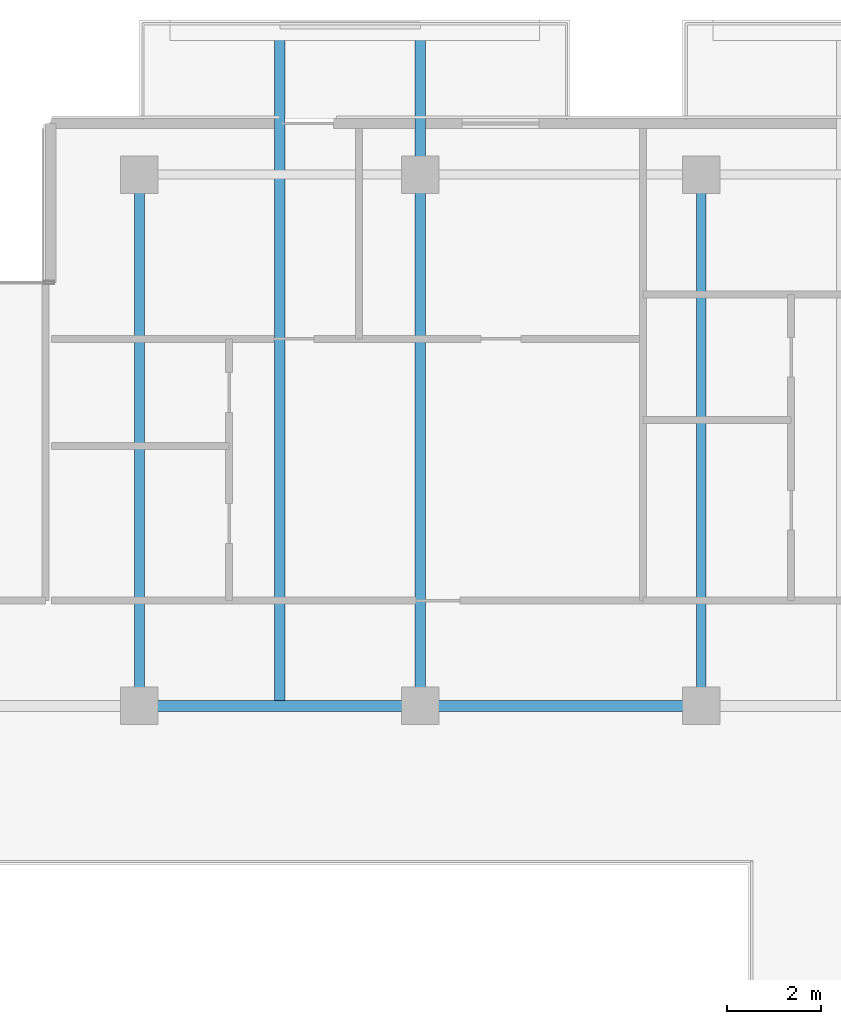
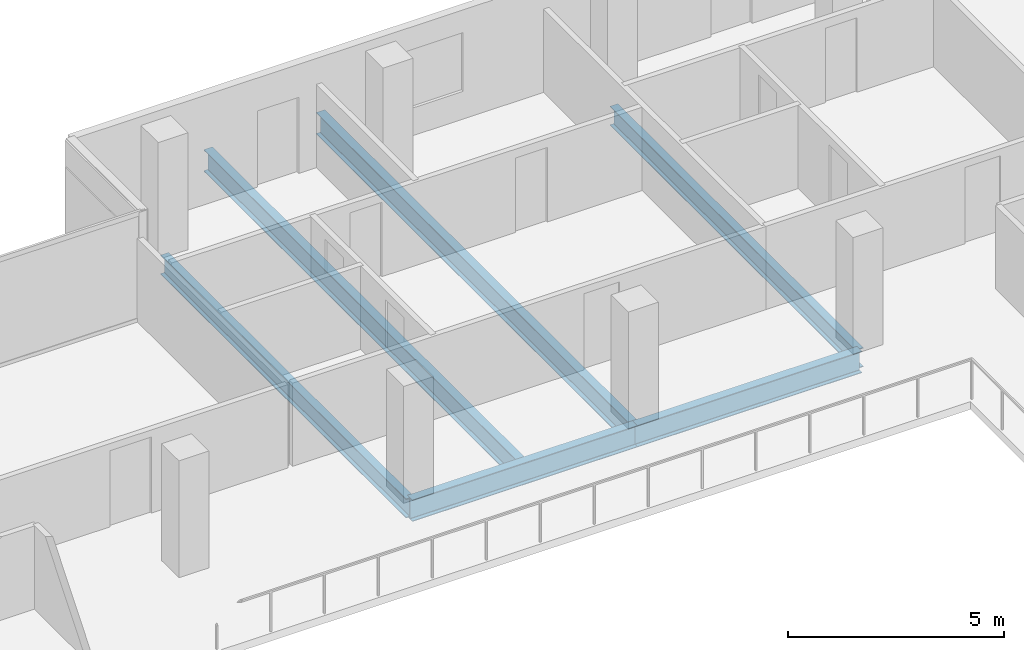
# One storey, part 11 of 29: 6 beams.
"""IFC4 building model written with IfcOpenShell, lengths in metres."""

import ifcopenshell
import ifcopenshell.guid

model = None  # the IFC model being written
_history = None  # IfcOwnerHistory: only IFC2X3 demands one
_inside = {}  # id of a spatial element -> (the spatial element, [elements in it])
_under = {}  # id of a project, library or spatial element -> (it, [spatial elements below it])
_declared = {}  # id of a project -> (the project, [libraries it declares])
_typed = {}  # id of a type object -> (the type object, [elements of that type])
_made_of = {}  # id of a material, layer set ... -> (it, [elements and type objects made of it])


def new_model(schema):
    """Start an empty IFC model of exactly this schema.

    Asked for "IFC4X3", IfcOpenShell would pick the latest addendum, in which some entities
    have other attributes; the version numbers below select the first issue.
    IFC2X3 requires an IfcOwnerHistory on every rooted entity: one is made here for all.
    """
    global model, _history
    if schema == "IFC4X3":
        model = ifcopenshell.file(schema_version=(4, 3, 0, 0))
    else:
        model = ifcopenshell.file(schema=schema)
    _inside.clear()
    _under.clear()
    _declared.clear()
    _typed.clear()
    _made_of.clear()
    _history = None
    if model.schema == "IFC2X3":
        org = make("IfcOrganization", Name="unknown")
        user = make(
            "IfcPersonAndOrganization",
            ThePerson=make("IfcPerson", FamilyName="unknown"),
            TheOrganization=org,
        )
        app = make(
            "IfcApplication",
            ApplicationDeveloper=org,
            Version="unknown",
            ApplicationFullName="unknown",
            ApplicationIdentifier="unknown",
        )
        _history = make(
            "IfcOwnerHistory",
            OwningUser=user,
            OwningApplication=app,
            ChangeAction="ADDED",
            CreationDate=0,
        )
    return model


def make(cls, **values):
    """One entity of the class cls with the attributes given. An attribute that is None is left unset."""
    return model.create_entity(
        cls, **{name: value for name, value in values.items() if value is not None}
    )


def rooted(cls, **values):
    """An entity with a GlobalId (a new one), such as an element, a storey or a relation."""
    return make(cls, GlobalId=ifcopenshell.guid.new(), OwnerHistory=_history, **values)


def si_unit(unit_type, name, prefix=None):
    """IfcSIUnit, for example si_unit("LENGTHUNIT", "METRE", prefix="MILLI")."""
    return make("IfcSIUnit", UnitType=unit_type, Prefix=prefix, Name=name)


def assignment(units):
    """IfcUnitAssignment: the units of a project."""
    return None if units is None else make("IfcUnitAssignment", Units=units)


def point(xyz):
    """IfcCartesianPoint."""
    return None if xyz is None else make("IfcCartesianPoint", Coordinates=xyz)


def direction(xyz):
    """IfcDirection."""
    return None if xyz is None else make("IfcDirection", DirectionRatios=xyz)


def frame(location, z_axis=None, x_axis=None):
    """IfcAxis2Placement3D, a coordinate frame: its origin and axes. An axis left out is left unset."""
    return make(
        "IfcAxis2Placement3D",
        Location=point(location),
        Axis=direction(z_axis),
        RefDirection=direction(x_axis),
    )


def frame_2d(location, x_axis=None):
    """IfcAxis2Placement2D, a coordinate frame in the plane: its origin and x axis."""
    return make(
        "IfcAxis2Placement2D", Location=point(location), RefDirection=direction(x_axis)
    )


def origin():
    """The frame at (0, 0, 0) with its axes left unset."""
    return frame((0.0, 0.0, 0.0))


def origin_2d():
    """The frame at (0, 0) in the plane with its x axis left unset."""
    return frame_2d((0.0, 0.0))


def place(relative_to, where):
    """IfcLocalPlacement: puts the frame where relative to a parent placement (None: the world)."""
    return make(
        "IfcLocalPlacement", PlacementRelTo=relative_to, RelativePlacement=where
    )


def context(
    kind, dimensions, precision=None, world=None, true_north=None, identifier=None
):
    """IfcGeometricRepresentationContext, for example the 3D "Model" context."""
    return make(
        "IfcGeometricRepresentationContext",
        ContextIdentifier=identifier,
        ContextType=kind,
        CoordinateSpaceDimension=dimensions,
        Precision=precision,
        WorldCoordinateSystem=world,
        TrueNorth=true_north,
    )


def subcontext(parent, identifier, kind, view, scale=None):
    """IfcGeometricRepresentationSubContext, for example "Body" below "Model"."""
    return make(
        "IfcGeometricRepresentationSubContext",
        ContextIdentifier=identifier,
        ContextType=kind,
        ParentContext=parent,
        TargetScale=scale,
        TargetView=view,
    )


def project(units=None, contexts=None):
    """IfcProject with its units and contexts."""
    return rooted(
        "IfcProject",
        Name="project",
        RepresentationContexts=contexts,
        UnitsInContext=assignment(units),
    )


def spatial(cls, under=None, at=None, **own):
    """A site, building, storey or space (cls), placed at a placement, below another one or the project."""
    s = rooted(cls, ObjectPlacement=at, **own)
    if under is not None:
        _under.setdefault(under.id(), (under, []))[1].append(s)
    return s


def profile(cls, at=None, kind="AREA", **sizes):
    """A parametric profile (cls). Its sizes go by their IFC names, for example OverallWidth=200.0."""
    return make(cls, ProfileType=kind, Position=at, **sizes)


def i_section(**sizes):
    """IfcIShapeProfileDef."""
    return profile("IfcIShapeProfileDef", **sizes)


def extrude(swept, where, along, depth):
    """IfcExtrudedAreaSolid: the profile swept, set in the frame where, extruded along a direction by depth."""
    return make(
        "IfcExtrudedAreaSolid",
        SweptArea=swept,
        Position=where,
        ExtrudedDirection=direction(along),
        Depth=depth,
    )


def shape(context_of_items, identifier, shape_type, items):
    """IfcShapeRepresentation: the items that make up one representation, for example the "Body"."""
    return make(
        "IfcShapeRepresentation",
        ContextOfItems=context_of_items,
        RepresentationIdentifier=identifier,
        RepresentationType=shape_type,
        Items=items,
    )


def material(Name=None, Category=None):
    """IfcMaterial."""
    return make("IfcMaterial", Name=Name, Category=Category)


def material_profile(
    of_material, cross_section, Name=None, Category=None, Priority=None
):
    """IfcMaterialProfile: a cross section and its material."""
    return make(
        "IfcMaterialProfile",
        Name=Name,
        Material=of_material,
        Profile=cross_section,
        Priority=Priority,
        Category=Category,
    )


def profile_set(profiles, Name=None, composite=None):
    """IfcMaterialProfileSet."""
    return make(
        "IfcMaterialProfileSet",
        Name=Name,
        MaterialProfiles=profiles,
        CompositeProfile=composite,
    )


def made_of(thing, what):
    """Note that an element or type object is made of a material, layer set ...; save() writes the relation."""
    if what is not None:
        _made_of.setdefault(what.id(), (what, []))[1].append(thing)
    return thing


def type_object(cls, material=None, **own):
    """A type object (cls), such as IfcWallType, which elements share."""
    return made_of(rooted(cls, **own), material)


def element(
    cls,
    number,
    at=None,
    inside=None,
    cuts=None,
    type_object=None,
    material=None,
    context=None,
    identifier="Body",
    shape_type=None,
    held_by="IfcProductDefinitionShape",
    body=None,
    shapes=None,
    **own,
):
    """One element of the class cls, such as IfcWall. Its Tag is "e" and its number.

    at: its placement. inside: the storey or other place that contains it. cuts: it is an
    opening in that element (IfcRelVoidsElement). A single representation is given by context,
    identifier, shape_type and body (its items); several are given by shapes. held_by: the class
    of the entity that holds the representations. save() writes the other relations.
    """
    e = rooted(cls, Tag="e%d" % number, ObjectPlacement=at, **own)
    if body is not None:
        shapes = [shape(context, identifier, shape_type, body)]
    if shapes is not None:
        e.Representation = make(held_by, Representations=shapes)
    if inside is not None:
        _inside.setdefault(inside.id(), (inside, []))[1].append(e)
    if cuts is not None:
        rooted(
            "IfcRelVoidsElement", RelatingBuildingElement=cuts, RelatedOpeningElement=e
        )
    if type_object is not None:
        _typed.setdefault(type_object.id(), (type_object, []))[1].append(e)
    return made_of(e, material)


def aggregate(whole, parts):
    """IfcRelAggregates: a whole, such as a stair, and the parts it consists of."""
    return rooted("IfcRelAggregates", RelatingObject=whole, RelatedObjects=parts)


def save(model, path):
    """Write the relations noted so far, then the file.

    IfcRelAggregates (storeys below a building ...), IfcRelContainedInSpatialStructure (elements
    in a storey), IfcRelDefinesByType, IfcRelAssociatesMaterial and IfcRelDeclares: one each for
    every whole, place, type object, material and project.
    """
    for whole, parts in _under.values():
        aggregate(whole, parts)
    for where, things in _inside.values():
        rooted(
            "IfcRelContainedInSpatialStructure",
            RelatedElements=things,
            RelatingStructure=where,
        )
    for kind, things in _typed.values():
        rooted("IfcRelDefinesByType", RelatedObjects=things, RelatingType=kind)
    for what, things in _made_of.values():
        rooted("IfcRelAssociatesMaterial", RelatedObjects=things, RelatingMaterial=what)
    for by, libraries in _declared.values():
        rooted("IfcRelDeclares", RelatingContext=by, RelatedDefinitions=libraries)
    model.write(path)


model = new_model("IFC4")

# Units and contexts
model_context = context("Model", 3, precision=1e-05, world=origin(), true_north=direction((0.0, 1.0)))
body_context = subcontext(model_context, "Body", "Model", "MODEL_VIEW")
ifc_project = project(units=[si_unit("LENGTHUNIT", "METRE"), si_unit("AREAUNIT", "SQUARE_METRE"), si_unit("VOLUMEUNIT", "CUBIC_METRE"), si_unit("PLANEANGLEUNIT", "RADIAN"), si_unit("MASSUNIT", "GRAM", prefix="KILO")], contexts=[model_context])

# Site, building, storey
site_placement = place(None, origin())
site = spatial("IfcSite", under=ifc_project, at=site_placement, CompositionType="ELEMENT")
building_placement = place(site_placement, origin())
building = spatial("IfcBuilding", under=site, at=building_placement, Name="Tanjung Sevakor Pilgrim Tower", CompositionType="ELEMENT")
storey_placement = place(building_placement, frame((0.0, 0.0, 181.830078125)))
storey = spatial("IfcBuildingStorey", under=building, at=storey_placement, Name="L50", CompositionType="ELEMENT", Elevation=181.830078125)

# Beams
ifc_material_1 = material(Name="Steel S355J2", Category="steel")
ifc_material_profile_1 = material_profile(ifc_material_1, i_section(OverallWidth=0.22900390625, OverallDepth=0.6123046875, WebThickness=0.011962890625, FlangeThickness=0.01953125, FilletRadius=0.0126953125, at=origin_2d()))
ifc_profile_set_1 = profile_set([ifc_material_profile_1], Name="Steel S355J2")
beam_type_1 = type_object("IfcBeamType", Name="BM-B-G4-UB_610x229x125", PredefinedType="BEAM", material=ifc_profile_set_1)
for number, where, z_axis, x_axis, name in (
    (1, (54.0, 42.60009765625, -0.526123046875), (1.0, 0.0, 0.0), (0.0, 1.0, 0.0), "L50 Primary Floor Girder MAIN Y426-05"),
    (2, (60.0, 42.60009765625, -0.526123046875), (1.0, 0.0, 0.0), (0.0, 1.0, 0.0), "L50 Primary Floor Girder MAIN Y426-06"),
):
    element("IfcBeam", number, at=place(storey_placement, frame(where, z_axis=z_axis, x_axis=x_axis)), inside=storey, type_object=beam_type_1, Name=name, PredefinedType="BEAM", context=body_context, shape_type="SweptSolid", body=[
        extrude(i_section(OverallWidth=0.22900390625, OverallDepth=0.6123046875, WebThickness=0.011962890625, FlangeThickness=0.01953125, FilletRadius=0.0126953125, at=origin_2d()), origin(), (0.0, 0.0, 1.0), 6.0),
    ])
beam_1_placement = place(storey_placement, frame((57.0, 42.714599609375, -0.526123046875), z_axis=(0.0, 1.0, 0.0), x_axis=(-1.0, 0.0, 0.0)))
element("IfcBeam", 3, at=beam_1_placement, inside=storey, type_object=beam_type_1, Name="L50 Balcony Cantilever Beam MAIN-N2-1", PredefinedType="BEAM", context=body_context, shape_type="SweptSolid", body=[
    extrude(i_section(OverallWidth=0.22900390625, OverallDepth=0.6123046875, WebThickness=0.011962890625, FlangeThickness=0.01953125, FilletRadius=0.0126953125, at=origin_2d()), origin(), (0.0, 0.0, 1.0), 14.415283203125),
])
beam_2_placement = place(storey_placement, frame((60.0, 42.60009765625, -0.526123046875), z_axis=(0.0, 1.0, 0.0), x_axis=(-1.0, 0.0, 0.0)))
element("IfcBeam", 4, at=beam_2_placement, inside=storey, type_object=beam_type_1, Name="L50 Balcony Cantilever Beam MAIN-N2-2", PredefinedType="BEAM", context=body_context, shape_type="SweptSolid", body=[
    extrude(i_section(OverallWidth=0.22900390625, OverallDepth=0.6123046875, WebThickness=0.011962890625, FlangeThickness=0.01953125, FilletRadius=0.0126953125, at=origin_2d()), origin(), (0.0, 0.0, 1.0), 14.52978515625),
])
ifc_material_2 = material(Name="Steel S355J2", Category="steel")
ifc_material_profile_2 = material_profile(ifc_material_2, i_section(OverallWidth=0.2119140625, OverallDepth=0.54443359375, WebThickness=0.0126953125, FlangeThickness=0.021240234375, FilletRadius=0.0126953125, at=origin_2d()))
ifc_profile_set_2 = profile_set([ifc_material_profile_2], Name="Steel S355J2")
beam_type_2 = type_object("IfcBeamType", Name="BM-B-G5-UB_533x210x122", PredefinedType="BEAM", material=ifc_profile_set_2)
for number, where, z_axis, x_axis, name in (
    (5, (54.0, 42.60009765625, -0.492431640625), (0.0, 1.0, 0.0), (-1.0, 0.0, 0.0), "L50 MAIN Girder 009"),
    (6, (66.0, 42.60009765625, -0.492431640625), (0.0, 1.0, 0.0), (-1.0, 0.0, 0.0), "L50 MAIN Girder 011"),
):
    element("IfcBeam", number, at=place(storey_placement, frame(where, z_axis=z_axis, x_axis=x_axis)), inside=storey, type_object=beam_type_2, Name=name, PredefinedType="BEAM", context=body_context, shape_type="SweptSolid", body=[
        extrude(i_section(OverallWidth=0.2119140625, OverallDepth=0.54443359375, WebThickness=0.0126953125, FlangeThickness=0.021240234375, FilletRadius=0.0126953125, at=origin_2d()), origin(), (0.0, 0.0, 1.0), 11.349853515625),
    ])

save(model, "model.ifc")
